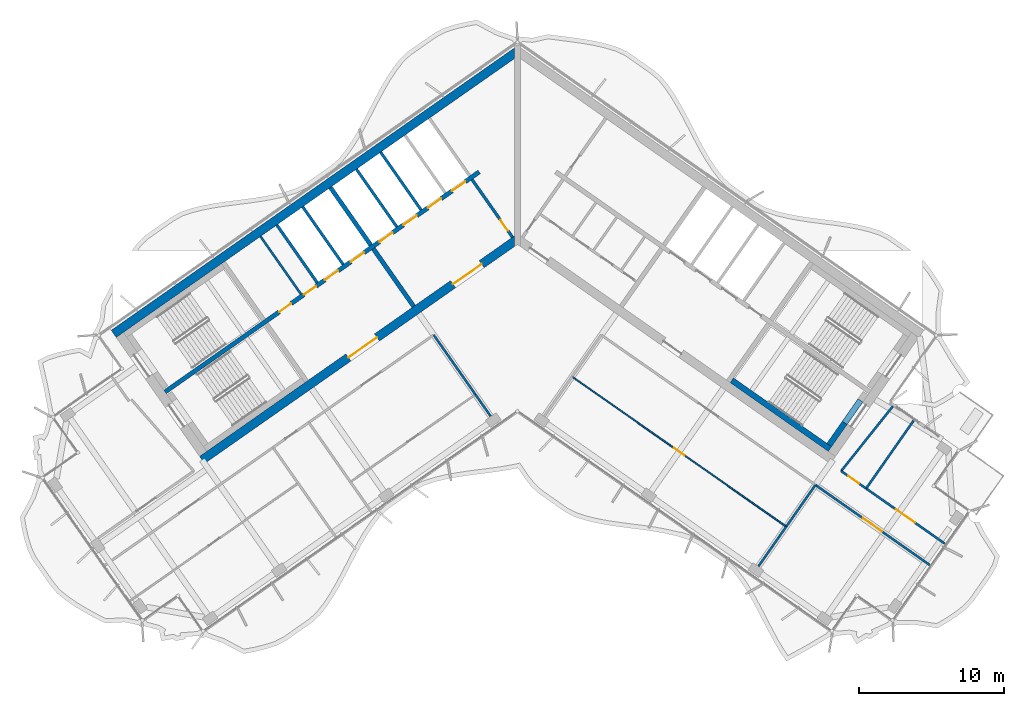
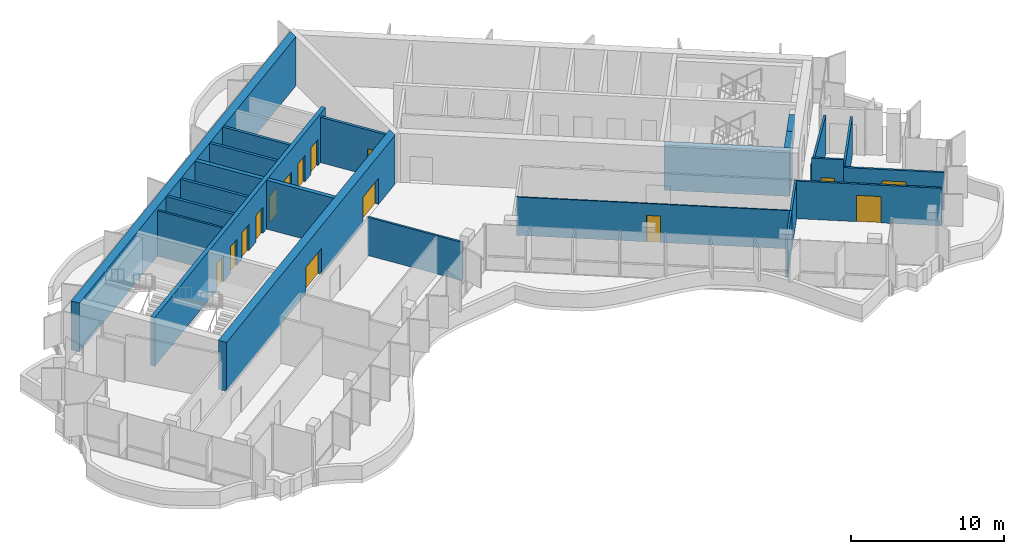
# One storey, part 11 of 20: 24 walls, 15 doors, 15 openings.
"""IFC4 building model written with IfcOpenShell, lengths in metres."""

from ifc_helpers import new_model, si_unit, direction, frame, frame_2d, origin, place, context, subcontext, project, spatial, polyline, rectangle, outline, extrude, material, layer, layer_set, type_object, element, fill, save


model = new_model("IFC4")

# Units and contexts
model_context = context("Model", 3, precision=1e-05, world=origin(), true_north=direction((0.0, 1.0)))
body_context = subcontext(model_context, "Body", "Model", "MODEL_VIEW")
ifc_project = project(units=[si_unit("LENGTHUNIT", "METRE"), si_unit("AREAUNIT", "SQUARE_METRE"), si_unit("VOLUMEUNIT", "CUBIC_METRE"), si_unit("PLANEANGLEUNIT", "RADIAN"), si_unit("MASSUNIT", "GRAM", prefix="KILO")], contexts=[model_context])

# Site, building, storey
site_placement = place(None, origin())
site = spatial("IfcSite", under=ifc_project, at=site_placement, CompositionType="ELEMENT")
building_placement = place(site_placement, origin())
building = spatial("IfcBuilding", under=site, at=building_placement, Name="Tel Ilan Convention Tower", CompositionType="ELEMENT")
storey_placement = place(building_placement, frame((0.0, 0.0, 248.800048828125)))
storey = spatial("IfcBuildingStorey", under=building, at=storey_placement, Name="L58", CompositionType="ELEMENT", Elevation=248.800048828125)

# Wall
ifc_material_1 = material(Name="Gypsum Plasterboard on Steel Stud", Category="steel")
ifc_layer_1 = layer(ifc_material_1, 0.14990234375)
ifc_layer_set_1 = layer_set([ifc_layer_1], Name="Core Room Partition Wall 150 mm EI 60")
wall_type_1 = type_object("IfcWallType", Name="Core Room Partition Wall 150 mm EI 60", PredefinedType="PARTITIONING", material=ifc_layer_set_1)
wall_1_placement = place(storey_placement, frame((-14.909423828125, -4.64111328125, 0.0), z_axis=(0.0, 0.0, 1.0), x_axis=(-0.573560315113, 0.819163332265, 0.0)))
element("IfcWall", 1, at=wall_1_placement, inside=storey, type_object=wall_type_1, Name="L58 core wall bank-W2-split", PredefinedType="PARTITIONING", context=body_context, shape_type="SweptSolid", body=[
    extrude(rectangle(XDim=4.849853515625, YDim=0.14990234375, at=frame_2d((2.4248046875, 0.0))), origin(), (0.0, 0.0, 1.0), 3.619873046875),
])

# Wall, opening, door
ifc_material_2 = material(Name="Concrete C30/37", Category="concrete")
ifc_layer_2 = layer(ifc_material_2, 0.199951171875)
ifc_layer_set_2 = layer_set([ifc_layer_2], Name="Core Service Room Wall 200 mm C30/37")
wall_type_2 = type_object("IfcWallType", Name="Core Service Room Wall 200 mm C30/37", PredefinedType="SOLIDWALL", material=ifc_layer_set_2)
wall_2_placement = place(storey_placement, frame((-0.343994140625, -0.729248046875, 0.0), z_axis=(0.0, 0.0, 1.0), x_axis=(-0.573560315113, 0.819163332265, 0.0)))
wall_2 = element("IfcWall", 2, at=wall_2_placement, inside=storey, type_object=wall_type_2, Name="L58 core wall apex-W", PredefinedType="SOLIDWALL", context=body_context, shape_type="SweptSolid", body=[
    extrude(rectangle(XDim=4.849853515625, YDim=0.199951171875, at=frame_2d((2.4248046875, 0.0))), origin(), (0.0, 0.0, 1.0), 3.619873046875),
])
opening_1_placement = place(wall_2_placement, frame((0.550048828125, 0.0, 0.0)))
opening_1 = element("IfcOpeningElement", 3, at=opening_1_placement, cuts=wall_2, Name="Opening CD4502", PredefinedType="OPENING", context=body_context, shape_type="SweptSolid", body=[
    extrude(rectangle(XDim=0.89990234375, YDim=2.10009765625, at=frame_2d((0.449951171875, 1.050048828125))), frame((0.0, 0.10986328125, 0.0), z_axis=(0.0, -1.0, 0.0), x_axis=(1.0, 0.0, 0.0)), (0.0, 0.0, 1.0), 0.219970703125),
])
ifc_material_3 = material(Name="Galvanised Steel Door Leaf", Category="steel")
door_type_1 = type_object("IfcDoorType", Name="Service Room Door 900 x 2100 FD60", OperationType="NOTDEFINED", PredefinedType="DOOR", material=ifc_material_3)
door_1_placement = place(opening_1_placement, origin())
door_1 = element("IfcDoor", 4, at=door_1_placement, inside=storey, type_object=door_type_1, Name="Telecom Room door", OperationType="SINGLE_SWING_RIGHT", OverallHeight=2.10009765625, OverallWidth=0.89990234375, PredefinedType="DOOR", context=body_context, shape_type="SweptSolid", body=[
    extrude(rectangle(XDim=0.89990234375, YDim=2.10009765625, at=frame_2d((0.449951171875, 1.050048828125))), frame((0.0, 0.02490234375, 0.0), z_axis=(0.0, -1.0, 0.0), x_axis=(1.0, 0.0, 0.0)), (0.0, 0.0, 1.0), 0.050048828125),
])
fill(opening_1, door_1)

# Walls
ifc_material_4 = material(Name="Concrete C40/50", Category="concrete")
ifc_layer_3 = layer(ifc_material_4, 0.300048828125)
ifc_layer_set_3 = layer_set([ifc_layer_3], Name="Core Shear Wall 300 mm C40/50")
wall_type_3 = type_object("IfcWallType", Name="Core Shear Wall 300 mm C40/50", PredefinedType="SHEAR", material=ifc_layer_set_3)
wall_3_placement = place(storey_placement, frame((-7.142822265625, -5.48974609375, 0.0), z_axis=(0.0, 0.0, 1.0), x_axis=(-0.573617744349, 0.819123118565, 0.0)))
element("IfcWall", 5, at=wall_3_placement, inside=storey, type_object=wall_type_3, Name="L58 core wall W-cross1-1", PredefinedType="SHEAR", context=body_context, shape_type="SweptSolid", body=[
    extrude(outline(polyline([(4.85009765625, 0.14990234375), (0.0, 0.150146484375), (0.0, -0.14990234375), (4.85009765625, -0.150146484375), (4.85009765625, 0.14990234375)])), origin(), (0.0, 0.0, 1.0), 3.89990234375),
])
wall_4_placement = place(storey_placement, frame((-10.096923828125, -1.271240234375, 0.0), z_axis=(0.0, 0.0, 1.0), x_axis=(-0.573560315113, 0.819163332265, 0.0)))
element("IfcWall", 6, at=wall_4_placement, inside=storey, type_object=wall_type_3, Name="L58 core wall W-cross1-2", PredefinedType="SHEAR", context=body_context, shape_type="SweptSolid", body=[
    extrude(outline(polyline([(4.849853515625, -0.14990234375), (4.849853515625, 0.150146484375), (0.0, 0.14990234375), (0.0, -0.150146484375), (4.849853515625, -0.14990234375)])), origin(), (0.0, 0.0, 1.0), 3.89990234375),
])

# Wall, openings, doors
wall_5_placement = place(storey_placement, frame((-2.638427734375, 3.76806640625, 0.0), z_axis=(0.0, 0.0, 1.0), x_axis=(-0.819155014212, -0.573572194837, 0.0)))
wall_5 = element("IfcWall", 7, at=wall_5_placement, inside=storey, type_object=wall_type_3, Name="L58 core wall W-spine", PredefinedType="SHEAR", context=body_context, shape_type="SweptSolid", body=[
    extrude(outline(polyline([(26.39990234375, 0.150146484375), (0.0, 0.14990234375), (0.0, -0.150146484375), (26.39990234375, -0.14990234375), (26.39990234375, 0.150146484375)])), origin(), (0.0, 0.0, 1.0), 3.89990234375),
])
opening_2_placement = place(wall_5_placement, frame((1.168701171875, 0.0, 0.0)))
opening_2 = element("IfcOpeningElement", 8, at=opening_2_placement, cuts=wall_5, Name="Opening LD4504", PredefinedType="OPENING", context=body_context, shape_type="SweptSolid", body=[
    extrude(rectangle(XDim=1.10009765625, YDim=2.10009765625, at=frame_2d((0.550048828125, 1.050048828125))), frame((0.0, 0.159912109375, 0.0), z_axis=(0.0, -1.0, 0.0), x_axis=(1.0, 0.0, 0.0)), (0.0, 0.0, 1.0), 0.320068359375),
])
opening_3_placement = place(wall_5_placement, frame((3.206298828125, 0.0, 0.0)))
opening_3 = element("IfcOpeningElement", 9, at=opening_3_placement, cuts=wall_5, Name="Opening LD4505", PredefinedType="OPENING", context=body_context, shape_type="SweptSolid", body=[
    extrude(rectangle(XDim=1.10009765625, YDim=2.10009765625, at=frame_2d((0.550048828125, 1.050048828125))), frame((0.0, 0.159912109375, 0.0), z_axis=(0.0, -1.0, 0.0), x_axis=(1.0, 0.0, 0.0)), (0.0, 0.0, 1.0), 0.320068359375),
])
opening_4_placement = place(wall_5_placement, frame((5.24365234375, 0.0, 0.0)))
opening_4 = element("IfcOpeningElement", 10, at=opening_4_placement, cuts=wall_5, Name="Opening LD4506", PredefinedType="OPENING", context=body_context, shape_type="SweptSolid", body=[
    extrude(rectangle(XDim=1.10009765625, YDim=2.10009765625, at=frame_2d((0.550048828125, 1.050048828125))), frame((0.0, 0.159912109375, 0.0), z_axis=(0.0, -1.0, 0.0), x_axis=(1.0, 0.0, 0.0)), (0.0, 0.0, 1.0), 0.320068359375),
])
opening_5_placement = place(wall_5_placement, frame((7.28125, 0.0, 0.0)))
opening_5 = element("IfcOpeningElement", 11, at=opening_5_placement, cuts=wall_5, Name="Opening LD4507", PredefinedType="OPENING", context=body_context, shape_type="SweptSolid", body=[
    extrude(rectangle(XDim=1.10009765625, YDim=2.10009765625, at=frame_2d((0.550048828125, 1.050048828125))), frame((0.0, 0.159912109375, 0.0), z_axis=(0.0, -1.0, 0.0), x_axis=(1.0, 0.0, 0.0)), (0.0, 0.0, 1.0), 0.320068359375),
])
opening_6_placement = place(wall_5_placement, frame((9.6875, 0.0, 0.0)))
opening_6 = element("IfcOpeningElement", 12, at=opening_6_placement, cuts=wall_5, Name="Opening LD4508", PredefinedType="OPENING", context=body_context, shape_type="SweptSolid", body=[
    extrude(rectangle(XDim=1.10009765625, YDim=2.10009765625, at=frame_2d((0.550048828125, 1.050048828125))), frame((0.0, 0.159912109375, 0.0), z_axis=(0.0, -1.0, 0.0), x_axis=(1.0, 0.0, 0.0)), (0.0, 0.0, 1.0), 0.320068359375),
])
opening_7_placement = place(wall_5_placement, frame((11.862548828125, 0.0, 0.0)))
opening_7 = element("IfcOpeningElement", 13, at=opening_7_placement, cuts=wall_5, Name="Opening LD4509", PredefinedType="OPENING", context=body_context, shape_type="SweptSolid", body=[
    extrude(rectangle(XDim=1.10009765625, YDim=2.10009765625, at=frame_2d((0.550048828125, 1.050048828125))), frame((0.0, 0.159912109375, 0.0), z_axis=(0.0, -1.0, 0.0), x_axis=(1.0, 0.0, 0.0)), (0.0, 0.0, 1.0), 0.320068359375),
])
opening_8_placement = place(wall_5_placement, frame((13.722412109375, 0.0, 0.0)))
opening_8 = element("IfcOpeningElement", 14, at=opening_8_placement, cuts=wall_5, Name="Opening CD4509", PredefinedType="OPENING", context=body_context, shape_type="SweptSolid", body=[
    extrude(rectangle(XDim=1.0, YDim=2.10009765625, at=frame_2d((0.5, 1.050048828125))), frame((0.0, 0.159912109375, 0.0), z_axis=(0.0, -1.0, 0.0), x_axis=(1.0, 0.0, 0.0)), (0.0, 0.0, 1.0), 0.320068359375),
])
opening_9_placement = place(wall_5_placement, frame((15.797607421875, 0.0, 0.0)))
opening_9 = element("IfcOpeningElement", 15, at=opening_9_placement, cuts=wall_5, Name="Opening CD4510", PredefinedType="OPENING", context=body_context, shape_type="SweptSolid", body=[
    extrude(rectangle(XDim=1.0, YDim=2.10009765625, at=frame_2d((0.5, 1.050048828125))), frame((0.0, 0.159912109375, 0.0), z_axis=(0.0, -1.0, 0.0), x_axis=(1.0, 0.0, 0.0)), (0.0, 0.0, 1.0), 0.320068359375),
])
ifc_material_5 = material(Name="Stainless Steel Sliding Door Leaf", Category="steel")
door_type_2 = type_object("IfcDoorType", Name="Lift Landing Door 1100 x 2100 FD120", OperationType="NOTDEFINED", PredefinedType="DOOR", material=ifc_material_5)
door_2_placement = place(opening_2_placement, origin())
door_2 = element("IfcDoor", 16, at=door_2_placement, inside=storey, type_object=door_type_2, Name="Lift HR1 landing door", OperationType="SLIDING_TO_LEFT", OverallHeight=2.10009765625, OverallWidth=1.10009765625, PredefinedType="DOOR", context=body_context, shape_type="SweptSolid", body=[
    extrude(rectangle(XDim=1.10009765625, YDim=2.10009765625, at=frame_2d((0.550048828125, 1.050048828125))), frame((0.0, 0.02490234375, 0.0), z_axis=(0.0, -1.0, 0.0), x_axis=(1.0, 0.0, 0.0)), (0.0, 0.0, 1.0), 0.050048828125),
])
fill(opening_2, door_2)
door_3_placement = place(opening_3_placement, origin())
door_3 = element("IfcDoor", 17, at=door_3_placement, inside=storey, type_object=door_type_2, Name="Lift HR2 landing door", OperationType="SLIDING_TO_RIGHT", OverallHeight=2.10009765625, OverallWidth=1.10009765625, PredefinedType="DOOR", context=body_context, shape_type="SweptSolid", body=[
    extrude(rectangle(XDim=1.10009765625, YDim=2.10009765625, at=frame_2d((0.550048828125, 1.050048828125))), frame((0.0, 0.02490234375, 0.0), z_axis=(0.0, -1.0, 0.0), x_axis=(1.0, 0.0, 0.0)), (0.0, 0.0, 1.0), 0.050048828125),
])
fill(opening_3, door_3)
door_4_placement = place(opening_4_placement, origin())
door_4 = element("IfcDoor", 18, at=door_4_placement, inside=storey, type_object=door_type_2, Name="Lift HR3 landing door", OperationType="SLIDING_TO_LEFT", OverallHeight=2.10009765625, OverallWidth=1.10009765625, PredefinedType="DOOR", context=body_context, shape_type="SweptSolid", body=[
    extrude(rectangle(XDim=1.10009765625, YDim=2.10009765625, at=frame_2d((0.550048828125, 1.050048828125))), frame((0.0, 0.02490234375, 0.0), z_axis=(0.0, -1.0, 0.0), x_axis=(1.0, 0.0, 0.0)), (0.0, 0.0, 1.0), 0.050048828125),
])
fill(opening_4, door_4)
door_5_placement = place(opening_5_placement, origin())
door_5 = element("IfcDoor", 19, at=door_5_placement, inside=storey, type_object=door_type_2, Name="Lift HR4 landing door", OperationType="SLIDING_TO_RIGHT", OverallHeight=2.10009765625, OverallWidth=1.10009765625, PredefinedType="DOOR", context=body_context, shape_type="SweptSolid", body=[
    extrude(rectangle(XDim=1.10009765625, YDim=2.10009765625, at=frame_2d((0.550048828125, 1.050048828125))), frame((0.0, 0.02490234375, 0.0), z_axis=(0.0, -1.0, 0.0), x_axis=(1.0, 0.0, 0.0)), (0.0, 0.0, 1.0), 0.050048828125),
])
fill(opening_5, door_5)
door_6_placement = place(opening_6_placement, origin())
door_6 = element("IfcDoor", 20, at=door_6_placement, inside=storey, type_object=door_type_2, Name="Lift HR5 landing door", OperationType="SLIDING_TO_LEFT", OverallHeight=2.10009765625, OverallWidth=1.10009765625, PredefinedType="DOOR", context=body_context, shape_type="SweptSolid", body=[
    extrude(rectangle(XDim=1.10009765625, YDim=2.10009765625, at=frame_2d((0.550048828125, 1.050048828125))), frame((0.0, 0.02490234375, 0.0), z_axis=(0.0, -1.0, 0.0), x_axis=(1.0, 0.0, 0.0)), (0.0, 0.0, 1.0), 0.050048828125),
])
fill(opening_6, door_6)
door_7_placement = place(opening_7_placement, origin())
door_7 = element("IfcDoor", 21, at=door_7_placement, inside=storey, type_object=door_type_2, Name="Lift HR6 landing door", OperationType="SLIDING_TO_RIGHT", OverallHeight=2.10009765625, OverallWidth=1.10009765625, PredefinedType="DOOR", context=body_context, shape_type="SweptSolid", body=[
    extrude(rectangle(XDim=1.10009765625, YDim=2.10009765625, at=frame_2d((0.550048828125, 1.050048828125))), frame((0.0, 0.02490234375, 0.0), z_axis=(0.0, -1.0, 0.0), x_axis=(1.0, 0.0, 0.0)), (0.0, 0.0, 1.0), 0.050048828125),
])
fill(opening_7, door_7)
ifc_material_6 = material(Name="Galvanised Steel Door Leaf", Category="steel")
door_type_3 = type_object("IfcDoorType", Name="Service Room Door 1000 x 2100 FD60", OperationType="NOTDEFINED", PredefinedType="DOOR", material=ifc_material_6)
door_8_placement = place(opening_8_placement, origin())
door_8 = element("IfcDoor", 22, at=door_8_placement, inside=storey, type_object=door_type_3, Name="Plant Room door", OperationType="SINGLE_SWING_RIGHT", OverallHeight=2.10009765625, OverallWidth=1.0, PredefinedType="DOOR", context=body_context, shape_type="SweptSolid", body=[
    extrude(rectangle(XDim=1.0, YDim=2.10009765625, at=frame_2d((0.5, 1.050048828125))), frame((0.0, 0.02490234375, 0.0), z_axis=(0.0, -1.0, 0.0), x_axis=(1.0, 0.0, 0.0)), (0.0, 0.0, 1.0), 0.050048828125),
])
fill(opening_8, door_8)
door_9_placement = place(opening_9_placement, origin())
door_9 = element("IfcDoor", 23, at=door_9_placement, inside=storey, type_object=door_type_3, Name="Plant Room door", OperationType="SINGLE_SWING_RIGHT", OverallHeight=2.10009765625, OverallWidth=1.0, PredefinedType="DOOR", context=body_context, shape_type="SweptSolid", body=[
    extrude(rectangle(XDim=1.0, YDim=2.10009765625, at=frame_2d((0.5, 1.050048828125))), frame((0.0, 0.02490234375, 0.0), z_axis=(0.0, -1.0, 0.0), x_axis=(1.0, 0.0, 0.0)), (0.0, 0.0, 1.0), 0.050048828125),
])
fill(opening_9, door_9)

# Wall
ifc_material_7 = material(Name="Concrete C40/50", Category="concrete")
ifc_layer_4 = layer(ifc_material_7, 0.60009765625)
ifc_layer_set_4 = layer_set([ifc_layer_4], Name="Core Shear Wall 600 mm C40/50")
wall_type_4 = type_object("IfcWallType", Name="Core Shear Wall 600 mm C40/50", PredefinedType="SHEAR", material=ifc_layer_set_4)
wall_6_placement = place(storey_placement, frame((-0.02783203125, 12.066162109375, 0.0), z_axis=(0.0, 0.0, 1.0), x_axis=(-0.819151382952, -0.573577380837, 0.0)))
element("IfcWall", 24, at=wall_6_placement, inside=storey, type_object=wall_type_4, Name="L58 core wall W-back", PredefinedType="SHEAR", context=body_context, shape_type="SweptSolid", body=[
    extrude(outline(polyline([(33.89794921875, 0.300048828125), (0.420166015625, 0.300048828125), (0.0, -0.300048828125), (33.898193359375, -0.300048828125), (33.89794921875, 0.300048828125)])), origin(), (0.0, 0.0, 1.0), 3.89990234375),
])

# Wall, openings, doors
wall_7_placement = place(storey_placement, frame((-0.02783203125, -0.8740234375, 0.0), z_axis=(0.0, 0.0, 1.0), x_axis=(-0.819150035022, -0.573579305871, 0.0)))
wall_7 = element("IfcWall", 25, at=wall_7_placement, inside=storey, type_object=wall_type_4, Name="L58 core wall W-front", PredefinedType="SHEAR", context=body_context, shape_type="SweptSolid", body=[
    extrude(outline(polyline([(26.475830078125, 0.2998046875), (0.420166015625, 0.300048828125), (0.000244140625, -0.300048828125), (26.475830078125, -0.300048828125), (26.475830078125, 0.2998046875)])), origin(), (0.0, 0.0, 1.0), 3.89990234375),
])
opening_10_placement = place(wall_7_placement, frame((2.975830078125, 0.0, 0.0)))
opening_10 = element("IfcOpeningElement", 26, at=opening_10_placement, cuts=wall_7, Name="Opening CD4506", PredefinedType="OPENING", context=body_context, shape_type="SweptSolid", body=[
    extrude(rectangle(XDim=2.39990234375, YDim=2.10009765625, at=frame_2d((1.199951171875, 1.050048828125))), frame((0.0, 0.31005859375, 0.0), z_axis=(0.0, -1.0, 0.0), x_axis=(1.0, 0.0, 0.0)), (0.0, 0.0, 1.0), 0.6201171875),
])
opening_11_placement = place(wall_7_placement, frame((11.77587890625, 0.0, 0.0)))
opening_11 = element("IfcOpeningElement", 27, at=opening_11_placement, cuts=wall_7, Name="Opening CD4507", PredefinedType="OPENING", context=body_context, shape_type="SweptSolid", body=[
    extrude(rectangle(XDim=2.39990234375, YDim=2.10009765625, at=frame_2d((1.199951171875, 1.050048828125))), frame((0.0, 0.31005859375, 0.0), z_axis=(0.0, -1.0, 0.0), x_axis=(1.0, 0.0, 0.0)), (0.0, 0.0, 1.0), 0.6201171875),
])
ifc_material_8 = material(Name="Glazed Aluminium Door Leaf", Category="aluminium")
door_type_4 = type_object("IfcDoorType", Name="Lobby Opening Door 2400 x 2100 FD60S", OperationType="NOTDEFINED", PredefinedType="DOOR", material=ifc_material_8)
door_10_placement = place(opening_10_placement, origin())
door_10 = element("IfcDoor", 28, at=door_10_placement, inside=storey, type_object=door_type_4, Name="Lift Lobby HR1-HR4 opening", OperationType="DOUBLE_DOOR_SINGLE_SWING", OverallHeight=2.10009765625, OverallWidth=2.39990234375, PredefinedType="DOOR", context=body_context, shape_type="SweptSolid", body=[
    extrude(rectangle(XDim=2.39990234375, YDim=2.10009765625, at=frame_2d((1.199951171875, 1.050048828125))), frame((0.0, 0.02490234375, 0.0), z_axis=(0.0, -1.0, 0.0), x_axis=(1.0, 0.0, 0.0)), (0.0, 0.0, 1.0), 0.050048828125),
])
fill(opening_10, door_10)
door_11_placement = place(opening_11_placement, origin())
door_11 = element("IfcDoor", 29, at=door_11_placement, inside=storey, type_object=door_type_4, Name="Lift Lobby HR5-HR6 opening", OperationType="DOUBLE_DOOR_SINGLE_SWING", OverallHeight=2.10009765625, OverallWidth=2.39990234375, PredefinedType="DOOR", context=body_context, shape_type="SweptSolid", body=[
    extrude(rectangle(XDim=2.39990234375, YDim=2.10009765625, at=frame_2d((1.199951171875, 1.050048828125))), frame((0.0, 0.02490234375, 0.0), z_axis=(0.0, -1.0, 0.0), x_axis=(1.0, 0.0, 0.0)), (0.0, 0.0, 1.0), 0.050048828125),
])
fill(opening_11, door_11)

# Wall, opening, door
ifc_material_9 = material(Name="Plasterboard on Steel Studs", Category="steel")
ifc_layer_5 = layer(ifc_material_9, 0.14990234375)
ifc_layer_set_5 = layer_set([ifc_layer_5], Name="Fire-rated Partition 150 EI 60")
wall_type_5 = type_object("IfcWallType", Name="Fire-rated Partition 150 EI 60", PredefinedType="PARTITIONING", material=ifc_layer_set_5)
wall_8_placement = place(storey_placement, frame((22.280517578125, -16.82177734375, 0.0), z_axis=(0.0, 0.0, 1.0), x_axis=(0.819166447083, -0.573555866479, 0.0)))
wall_8 = element("IfcWall", 30, at=wall_8_placement, inside=storey, type_object=wall_type_5, Name="Partition 001", PredefinedType="PARTITIONING", context=body_context, shape_type="SweptSolid", body=[
    extrude(rectangle(XDim=2.102294921875, YDim=0.14990234375, at=frame_2d((1.05126953125, 0.0))), origin(), (0.0, 0.0, 1.0), 3.619873046875),
])
opening_12_placement = place(wall_8_placement, frame((0.60107421875, 0.0, 0.0)))
opening_12 = element("IfcOpeningElement", 31, at=opening_12_placement, cuts=wall_8, Name="Opening L58-010", PredefinedType="OPENING", context=body_context, shape_type="SweptSolid", body=[
    extrude(rectangle(XDim=0.89990234375, YDim=2.10009765625, at=frame_2d((0.449951171875, 1.050048828125))), frame((0.0, 0.0849609375, 0.0), z_axis=(0.0, -1.0, 0.0), x_axis=(1.0, 0.0, 0.0)), (0.0, 0.0, 1.0), 0.169921875),
])
ifc_material_10 = material(Name="Timber Door Leaf in Steel Frame", Category="steel")
door_type_5 = type_object("IfcDoorType", Name="Room Fire Door 900x2100", OperationType="NOTDEFINED", PredefinedType="DOOR", material=ifc_material_10)
door_12_placement = place(opening_12_placement, origin())
door_12 = element("IfcDoor", 32, at=door_12_placement, inside=storey, type_object=door_type_5, Name="Door L58-010", OperationType="SINGLE_SWING_LEFT", OverallHeight=2.10009765625, OverallWidth=0.89990234375, PredefinedType="DOOR", context=body_context, shape_type="SweptSolid", body=[
    extrude(rectangle(XDim=0.89990234375, YDim=2.10009765625, at=frame_2d((0.449951171875, 1.050048828125))), frame((0.0, 0.02490234375, 0.0), z_axis=(0.0, -1.0, 0.0), x_axis=(1.0, 0.0, 0.0)), (0.0, 0.0, 1.0), 0.050048828125),
])
fill(opening_12, door_12)

wall_9_placement = place(storey_placement, frame((23.999267578125, -18.025390625, 0.0), z_axis=(0.0, 0.0, 1.0), x_axis=(0.819169373176, -0.57355168734, 0.0)))
wall_9 = element("IfcWall", 33, at=wall_9_placement, inside=storey, type_object=wall_type_5, Name="Partition 002", PredefinedType="PARTITIONING", context=body_context, shape_type="SweptSolid", body=[
    extrude(rectangle(XDim=6.60205078125, YDim=0.14990234375, at=frame_2d((3.301025390625, 0.0))), origin(), (0.0, 0.0, 1.0), 3.0),
])
opening_13_placement = place(wall_9_placement, frame((2.5009765625, 0.0, 0.0)))
opening_13 = element("IfcOpeningElement", 34, at=opening_13_placement, cuts=wall_9, Name="Opening L58-011", PredefinedType="OPENING", context=body_context, shape_type="SweptSolid", body=[
    extrude(rectangle(XDim=1.60009765625, YDim=2.10009765625, at=frame_2d((0.800048828125, 1.050048828125))), frame((0.0, 0.0849609375, 0.0), z_axis=(0.0, -1.0, 0.0), x_axis=(1.0, 0.0, 0.0)), (0.0, 0.0, 1.0), 0.169921875),
])
ifc_material_11 = material(Name="Timber Door Leaf in Steel Frame", Category="steel")
door_type_6 = type_object("IfcDoorType", Name="Tenant Suite Entrance Fire Door 1600x2100", OperationType="NOTDEFINED", PredefinedType="DOOR", material=ifc_material_11)
door_13_placement = place(opening_13_placement, origin())
door_13 = element("IfcDoor", 35, at=door_13_placement, inside=storey, type_object=door_type_6, Name="Door L58-011", OperationType="DOUBLE_DOOR_SINGLE_SWING", OverallHeight=2.10009765625, OverallWidth=1.60009765625, PredefinedType="DOOR", context=body_context, shape_type="SweptSolid", body=[
    extrude(rectangle(XDim=1.60009765625, YDim=2.10009765625, at=frame_2d((0.800048828125, 1.050048828125))), frame((0.0, 0.02490234375, 0.0), z_axis=(0.0, -1.0, 0.0), x_axis=(1.0, 0.0, 0.0)), (0.0, 0.0, 1.0), 0.050048828125),
])
fill(opening_13, door_13)

wall_10_placement = place(storey_placement, frame((28.375, -23.28662109375, 0.0), z_axis=(0.0, 0.0, 1.0), x_axis=(-0.819147101588, 0.573583495196, 0.0)))
wall_10 = element("IfcWall", 36, at=wall_10_placement, inside=storey, type_object=wall_type_5, Name="Partition 004", PredefinedType="PARTITIONING", context=body_context, shape_type="SweptSolid", body=[
    extrude(rectangle(XDim=9.60205078125, YDim=0.14990234375, at=frame_2d((4.801025390625, 0.0))), origin(), (0.0, 0.0, 1.0), 3.0),
])
opening_14_placement = place(wall_10_placement, frame((4.0009765625, 0.0, 0.0)))
opening_14 = element("IfcOpeningElement", 37, at=opening_14_placement, cuts=wall_10, Name="Opening L58-009", PredefinedType="OPENING", context=body_context, shape_type="SweptSolid", body=[
    extrude(rectangle(XDim=1.60009765625, YDim=2.10009765625, at=frame_2d((0.800048828125, 1.050048828125))), frame((0.0, 0.0849609375, 0.0), z_axis=(0.0, -1.0, 0.0), x_axis=(1.0, 0.0, 0.0)), (0.0, 0.0, 1.0), 0.169921875),
])
door_14_placement = place(opening_14_placement, origin())
door_14 = element("IfcDoor", 38, at=door_14_placement, inside=storey, type_object=door_type_6, Name="Door L58-009", OperationType="DOUBLE_DOOR_SINGLE_SWING", OverallHeight=2.10009765625, OverallWidth=1.60009765625, PredefinedType="DOOR", context=body_context, shape_type="SweptSolid", body=[
    extrude(rectangle(XDim=1.60009765625, YDim=2.10009765625, at=frame_2d((0.800048828125, 1.050048828125))), frame((0.0, 0.02490234375, 0.0), z_axis=(0.0, -1.0, 0.0), x_axis=(1.0, 0.0, 0.0)), (0.0, 0.0, 1.0), 0.050048828125),
])
fill(opening_14, door_14)

# Walls
wall_11_placement = place(storey_placement, frame((27.268798828125, -13.356201171875, 0.0), z_axis=(0.0, 0.0, 1.0), x_axis=(-0.573309978038, -0.819338555838, 0.0)))
element("IfcWall", 39, at=wall_11_placement, inside=storey, type_object=wall_type_5, Name="Partition 009", PredefinedType="PARTITIONING", context=body_context, shape_type="SweptSolid", body=[
    extrude(rectangle(XDim=5.699951171875, YDim=0.14990234375, at=frame_2d((2.85009765625, 0.0))), origin(), (0.0, 0.0, 1.0), 3.050048828125),
])
wall_12_placement = place(storey_placement, frame((22.2822265625, -16.822998046875, 0.0), z_axis=(0.0, 0.0, 1.0), x_axis=(0.623563137477, 0.781772993637, 0.0)))
element("IfcWall", 40, at=wall_12_placement, inside=storey, type_object=wall_type_5, Name="Partition 010", PredefinedType="PARTITIONING", context=body_context, shape_type="SweptSolid", body=[
    extrude(rectangle(XDim=5.711181640625, YDim=0.14990234375, at=frame_2d((2.85546875, 0.0))), origin(), (0.0, 0.0, 1.0), 3.050048828125),
])
wall_13_placement = place(storey_placement, frame((18.5029296875, -20.64794921875, 0.0), z_axis=(0.0, 0.0, 1.0), x_axis=(-0.573560777794, -0.819163008306, 0.0)))
element("IfcWall", 41, at=wall_13_placement, inside=storey, type_object=wall_type_5, Name="Partition 012", PredefinedType="PARTITIONING", context=body_context, shape_type="SweptSolid", body=[
    extrude(rectangle(XDim=3.3291015625, YDim=0.14990234375, at=frame_2d((1.66455078125, 0.0))), origin(), (0.0, 0.0, 1.0), 3.050048828125),
])
wall_14_placement = place(storey_placement, frame((20.510986328125, -17.7802734375, 0.0), z_axis=(0.0, 0.0, 1.0), x_axis=(-0.573551294295, -0.819169648371, 0.0)))
element("IfcWall", 42, at=wall_14_placement, inside=storey, type_object=wall_type_5, Name="Partition 014", PredefinedType="PARTITIONING", context=body_context, shape_type="SweptSolid", body=[
    extrude(rectangle(XDim=3.499755859375, YDim=0.14990234375, at=frame_2d((1.75, 0.0))), origin(), (0.0, 0.0, 1.0), 3.050048828125),
])
wall_15_placement = place(storey_placement, frame((-1.848876953125, -13.050537109375, 0.0), z_axis=(0.0, 0.0, 1.0), x_axis=(-0.573542889209, 0.819175533227, 0.0)))
element("IfcWall", 43, at=wall_15_placement, inside=storey, type_object=wall_type_5, Name="Partition 016", PredefinedType="PARTITIONING", context=body_context, shape_type="SweptSolid", body=[
    extrude(rectangle(XDim=1.830810546875, YDim=0.14990234375, at=frame_2d((0.91552734375, 0.0))), origin(), (0.0, 0.0, 1.0), 3.050048828125),
])
wall_16_placement = place(storey_placement, frame((-2.897216796875, -11.55322265625, 0.0), z_axis=(0.0, 0.0, 1.0), x_axis=(-0.573593309886, 0.819140229054, 0.0)))
element("IfcWall", 44, at=wall_16_placement, inside=storey, type_object=wall_type_5, Name="Partition 017", PredefinedType="PARTITIONING", context=body_context, shape_type="SweptSolid", body=[
    extrude(rectangle(XDim=5.004150390625, YDim=0.14990234375, at=frame_2d((2.501953125, 0.0))), origin(), (0.0, 0.0, 1.0), 3.050048828125),
])
ifc_material_12 = material(Name="Concrete C30/37", Category="concrete")
ifc_layer_6 = layer(ifc_material_12, 0.199951171875)
ifc_layer_set_6 = layer_set([ifc_layer_6], Name="Lift Shaft Wall 200 mm C30/37")
wall_type_6 = type_object("IfcWallType", Name="Lift Shaft Wall 200 mm C30/37", PredefinedType="SOLIDWALL", material=ifc_layer_set_6)
wall_17_placement = place(storey_placement, frame((-6.635986328125, 1.152099609375, 0.0), z_axis=(0.0, 0.0, 1.0), x_axis=(-0.573560315113, 0.819163332265, 0.0)))
element("IfcWall", 45, at=wall_17_placement, inside=storey, type_object=wall_type_6, Name="L58 core wall bank-W1-p1", PredefinedType="SOLIDWALL", context=body_context, shape_type="SweptSolid", body=[
    extrude(rectangle(XDim=4.849853515625, YDim=0.199951171875, at=frame_2d((2.4248046875, 0.0))), origin(), (0.0, 0.0, 1.0), 3.89990234375),
])
wall_18_placement = place(storey_placement, frame((-8.304931640625, -0.0166015625, 0.0), z_axis=(0.0, 0.0, 1.0), x_axis=(-0.573594092424, 0.81913968109, 0.0)))
element("IfcWall", 46, at=wall_18_placement, inside=storey, type_object=wall_type_6, Name="L58 core wall bank-W1-p2", PredefinedType="SOLIDWALL", context=body_context, shape_type="SweptSolid", body=[
    extrude(rectangle(XDim=4.85009765625, YDim=0.199951171875, at=frame_2d((2.425048828125, 0.0))), origin(), (0.0, 0.0, 1.0), 3.89990234375),
])
wall_19_placement = place(storey_placement, frame((-12.00146484375, -2.604736328125, 0.0), z_axis=(0.0, 0.0, 1.0), x_axis=(-0.573560315113, 0.819163332265, 0.0)))
element("IfcWall", 47, at=wall_19_placement, inside=storey, type_object=wall_type_6, Name="L58 core wall bank-W2-p0", PredefinedType="SOLIDWALL", context=body_context, shape_type="SweptSolid", body=[
    extrude(rectangle(XDim=4.849853515625, YDim=0.199951171875, at=frame_2d((2.4248046875, 0.0))), origin(), (0.0, 0.0, 1.0), 3.89990234375),
])
wall_20_placement = place(storey_placement, frame((-13.782958984375, -3.852294921875, 0.0), z_axis=(0.0, 0.0, 1.0), x_axis=(-0.573594092424, 0.81913968109, 0.0)))
element("IfcWall", 48, at=wall_20_placement, inside=storey, type_object=wall_type_6, Name="L58 core wall bank-W2-p1", PredefinedType="SOLIDWALL", context=body_context, shape_type="SweptSolid", body=[
    extrude(rectangle(XDim=4.85009765625, YDim=0.199951171875, at=frame_2d((2.425048828125, 0.0))), origin(), (0.0, 0.0, 1.0), 3.89990234375),
])

# Wall, opening, door
ifc_material_13 = material(Name="Plasterboard on Steel Studs", Category="steel")
ifc_layer_7 = layer(ifc_material_13, 0.10009765625)
ifc_layer_set_7 = layer_set([ifc_layer_7], Name="Plasterboard Partition 100")
wall_type_7 = type_object("IfcWallType", Name="Plasterboard Partition 100", PredefinedType="PARTITIONING", material=ifc_layer_set_7)
wall_21_placement = place(storey_placement, frame((18.5029296875, -20.64794921875, 0.0), z_axis=(0.0, 0.0, 1.0), x_axis=(-0.819154173185, 0.573573395961, 0.0)))
wall_21 = element("IfcWall", 49, at=wall_21_placement, inside=storey, type_object=wall_type_7, Name="Partition 011", PredefinedType="PARTITIONING", context=body_context, shape_type="SweptSolid", body=[
    extrude(rectangle(XDim=17.999755859375, YDim=0.10009765625, at=frame_2d((9.0, 0.0))), origin(), (0.0, 0.0, 1.0), 3.050048828125),
])
opening_15_placement = place(wall_21_placement, frame((8.550048828125, 0.0, 0.0)))
opening_15 = element("IfcOpeningElement", 50, at=opening_15_placement, cuts=wall_21, Name="Opening L58-008", PredefinedType="OPENING", context=body_context, shape_type="SweptSolid", body=[
    extrude(rectangle(XDim=0.89990234375, YDim=2.10009765625, at=frame_2d((0.449951171875, 1.050048828125))), frame((0.0, 0.06005859375, 0.0), z_axis=(0.0, -1.0, 0.0), x_axis=(1.0, 0.0, 0.0)), (0.0, 0.0, 1.0), 0.1201171875),
])
ifc_material_14 = material(Name="Timber Door Leaf in Steel Frame", Category="steel")
door_type_7 = type_object("IfcDoorType", Name="Room Timber Door 900x2100", OperationType="NOTDEFINED", PredefinedType="DOOR", material=ifc_material_14)
door_15_placement = place(opening_15_placement, origin())
door_15 = element("IfcDoor", 51, at=door_15_placement, inside=storey, type_object=door_type_7, Name="Door L58-008", OperationType="SINGLE_SWING_RIGHT", OverallHeight=2.10009765625, OverallWidth=0.89990234375, PredefinedType="DOOR", context=body_context, shape_type="SweptSolid", body=[
    extrude(rectangle(XDim=0.89990234375, YDim=2.10009765625, at=frame_2d((0.449951171875, 1.050048828125))), frame((0.0, 0.02490234375, 0.0), z_axis=(0.0, -1.0, 0.0), x_axis=(1.0, 0.0, 0.0)), (0.0, 0.0, 1.0), 0.050048828125),
])
fill(opening_15, door_15)

# Walls
ifc_material_15 = material(Name="Concrete C30/37", Category="concrete")
ifc_layer_8 = layer(ifc_material_15, 0.39990234375)
ifc_layer_set_8 = layer_set([ifc_layer_8], Name="Stair and Shaft Lining Wall 400 mm C30/37")
wall_type_8 = type_object("IfcWallType", Name="Stair and Shaft Lining Wall 400 mm C30/37", PredefinedType="SOLIDWALL", material=ifc_layer_set_8)
wall_22_placement = place(storey_placement, frame((14.7529296875, -10.57421875, 0.0), z_axis=(0.0, 0.0, 1.0), x_axis=(0.819158229677, -0.573567602601, 0.0)))
element("IfcWall", 52, at=wall_22_placement, inside=storey, type_object=wall_type_8, Name="L58 core wall lining-S4-t0", PredefinedType="SOLIDWALL", context=body_context, shape_type="SweptSolid", body=[
    extrude(rectangle(XDim=8.25, YDim=0.39990234375, at=frame_2d((4.125, 0.0))), origin(), (0.0, 0.0, 1.0), 3.619873046875),
])
wall_23_placement = place(storey_placement, frame((21.4619140625, -15.027587890625, 0.0), z_axis=(0.0, 0.0, 1.0), x_axis=(0.573559770908, 0.819163713305, 0.0)))
element("IfcWall", 53, at=wall_23_placement, inside=storey, type_object=wall_type_8, Name="L58 core wall lining-S4-u1-0", PredefinedType="SOLIDWALL", context=body_context, shape_type="SweptSolid", body=[
    extrude(rectangle(XDim=1.849853515625, YDim=0.39990234375, at=frame_2d((0.9248046875, 0.0))), origin(), (0.0, 0.0, 1.0), 3.619873046875),
])
wall_24_placement = place(storey_placement, frame((22.52294921875, -13.51220703125, 2.14990234375), z_axis=(0.0, 0.0, 1.0), x_axis=(0.573591692345, 0.819141361715, 0.0)))
element("IfcWall", 54, at=wall_24_placement, inside=storey, type_object=wall_type_8, Name="L58 core wall lining-S4-u1-lintel", PredefinedType="SOLIDWALL", context=body_context, shape_type="SweptSolid", body=[
    extrude(rectangle(XDim=1.900146484375, YDim=0.39990234375, at=frame_2d((0.9501953125, 0.0))), origin(), (0.0, 0.0, 1.0), 1.469970703125),
])

save(model, "model.ifc")
